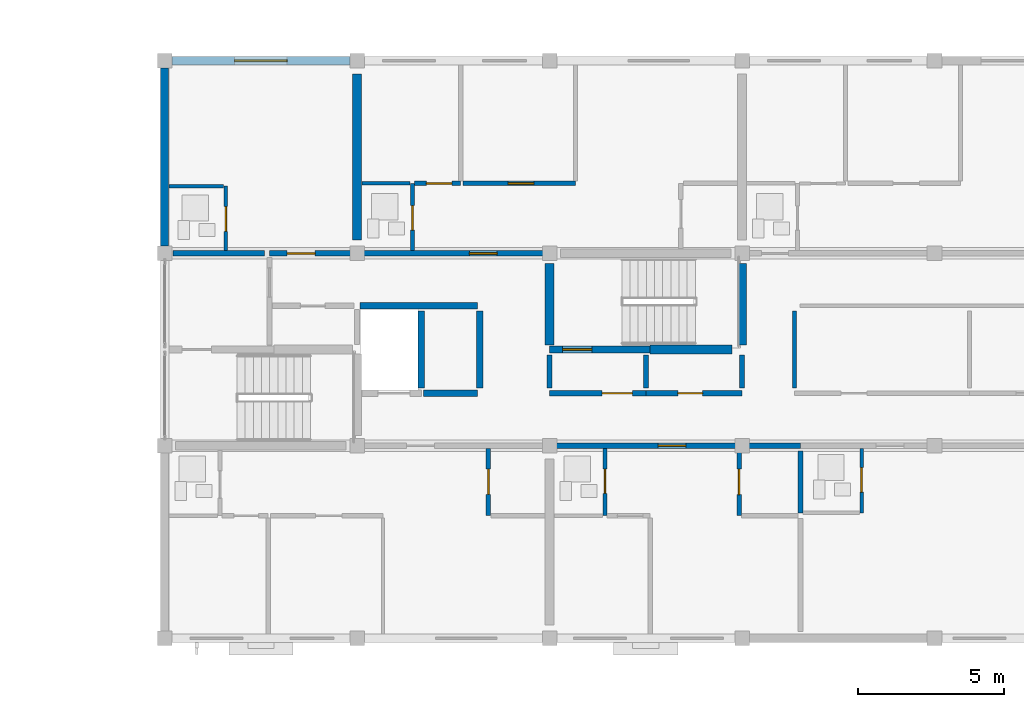
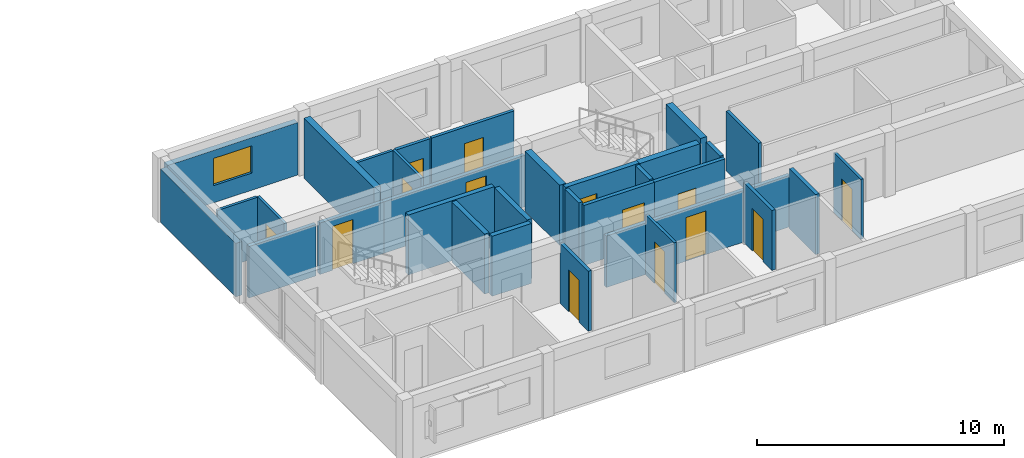
# One storey, part 35 of 49: 32 walls, 14 doors, 1 window, 15 openings.
"""IFC4 building model written with IfcOpenShell, lengths in metres."""

from ifc_helpers import new_model, si_unit, direction, frame, frame_2d, origin, place, context, subcontext, project, spatial, rectangle, extrude, material, layer, layer_set, type_object, element, fill, save


model = new_model("IFC4")

# Units and contexts
model_context = context("Model", 3, precision=1e-05, world=origin(), true_north=direction((0.0, 1.0)))
body_context = subcontext(model_context, "Body", "Model", "MODEL_VIEW")
ifc_project = project(units=[si_unit("LENGTHUNIT", "METRE"), si_unit("AREAUNIT", "SQUARE_METRE"), si_unit("VOLUMEUNIT", "CUBIC_METRE"), si_unit("PLANEANGLEUNIT", "RADIAN"), si_unit("MASSUNIT", "GRAM", prefix="KILO")], contexts=[model_context])

# Site, building, storey
site_placement = place(None, origin())
site = spatial("IfcSite", under=ifc_project, at=site_placement, CompositionType="ELEMENT")
building_placement = place(site_placement, origin())
building = spatial("IfcBuilding", under=site, at=building_placement, Name="Kernevlak Ridge Housing Community", CompositionType="ELEMENT")
storey_placement = place(building_placement, frame((0.0, 0.0, 30.800048828125)))
storey = spatial("IfcBuildingStorey", under=building, at=storey_placement, Name="L09", CompositionType="ELEMENT", Elevation=30.800048828125)

# Wall, opening, window
ifc_material_1 = material(Name="Concrete block masonry M10", Category="masonry")
ifc_layer_1 = layer(ifc_material_1, 0.280029296875, Name="Concrete block masonry M10")
ifc_layer_set_1 = layer_set([ifc_layer_1], Name="Concrete block masonry M10")
wall_type_1 = type_object("IfcWallType", Name="EW-03", PredefinedType="STANDARD", material=ifc_layer_set_1)
wall_1_placement = place(storey_placement, frame((119.64990234375, 102.39990234375, 0.0), z_axis=(0.0, 0.0, 1.0), x_axis=(1.0, 0.0, 0.0)))
wall_1 = element("IfcWall", 1, at=wall_1_placement, inside=storey, type_object=wall_type_1, Name="Exterior wall EW-03 L09 440", PredefinedType="STANDARD", context=body_context, shape_type="SweptSolid", body=[
    extrude(rectangle(XDim=6.10009765625, YDim=0.280029296875, at=frame_2d((3.050048828125, 0.0))), origin(), (0.0, 0.0, 1.0), 2.599853515625),
])
opening_1_placement = place(wall_1_placement, frame((2.14990234375, 0.0, 0.85009765625)))
opening_1 = element("IfcOpeningElement", 2, at=opening_1_placement, cuts=wall_1, Name="Opening WT-03", PredefinedType="OPENING", context=body_context, shape_type="SweptSolid", body=[
    extrude(rectangle(XDim=1.800048828125, YDim=1.35009765625, at=frame_2d((0.89990234375, 0.675048828125))), frame((0.0, 0.14990234375, 0.0), z_axis=(0.0, -1.0, 0.0), x_axis=(1.0, 0.0, 0.0)), (0.0, 0.0, 1.0), 0.300048828125),
])
ifc_material_2 = material(Name="Aluminium EN AW-6060 anodised and laminated glass", Category="aluminium")
window_type = type_object("IfcWindowType", Name="WT-03", PartitioningType="SINGLE_PANEL", PredefinedType="WINDOW", material=ifc_material_2)
window_placement = place(opening_1_placement, origin())
window = element("IfcWindow", 3, at=window_placement, inside=storey, type_object=window_type, Name="Window WT-03 L09 341", OverallHeight=1.35009765625, OverallWidth=1.800048828125, PartitioningType="SINGLE_PANEL", PredefinedType="WINDOW", context=body_context, shape_type="SweptSolid", body=[
    extrude(rectangle(XDim=1.800048828125, YDim=1.35009765625, at=frame_2d((0.89990234375, 0.675048828125))), frame((0.0, 0.030029296875, 0.0), z_axis=(0.0, -1.0, 0.0), x_axis=(1.0, 0.0, 0.0)), (0.0, 0.0, 1.0), 0.06005859375),
])
fill(opening_1, window)

# Walls
wall_2_placement = place(storey_placement, frame((119.39990234375, 96.050048828125, 0.0), z_axis=(0.0, 0.0, 1.0), x_axis=(0.0, 1.0, 0.0)))
element("IfcWall", 4, at=wall_2_placement, inside=storey, type_object=wall_type_1, Name="Exterior wall EW-03 L09 448", PredefinedType="STANDARD", context=body_context, shape_type="SweptSolid", body=[
    extrude(rectangle(XDim=6.099853515625, YDim=0.280029296875, at=frame_2d((3.0498046875, 0.0))), origin(), (0.0, 0.0, 1.0), 2.64990234375),
])
ifc_material_3 = material(Name="Concrete C35/45", Category="concrete")
ifc_layer_2 = layer(ifc_material_3, 0.22509765625, Name="Concrete C35/45")
ifc_layer_set_2 = layer_set([ifc_layer_2], Name="Concrete C35/45")
wall_type_2 = type_object("IfcWallType", Name="PW-01", PredefinedType="STANDARD", material=ifc_layer_set_2)
wall_3_placement = place(storey_placement, frame((128.280029296875, 91.0, 0.0), z_axis=(0.0, 0.0, 1.0), x_axis=(1.0, 0.0, 0.0)))
element("IfcWall", 5, at=wall_3_placement, inside=storey, type_object=wall_type_2, Name="Interior wall PW-01 WAL-INT-L09-1707", PredefinedType="STANDARD", context=body_context, shape_type="SweptSolid", body=[
    extrude(rectangle(XDim=1.840087890625, YDim=0.22509765625, at=frame_2d((0.919921875, 0.0))), origin(), (0.0, 0.0, 1.0), 2.969970703125),
])
wall_4_placement = place(storey_placement, frame((126.097412109375, 94.0, 0.0), z_axis=(0.0, 0.0, 1.0), x_axis=(1.0, 0.0, 0.0)))
element("IfcWall", 6, at=wall_4_placement, inside=storey, type_object=wall_type_2, Name="Interior wall PW-01 WAL-INT-L09-1708", PredefinedType="STANDARD", context=body_context, shape_type="SweptSolid", body=[
    extrude(rectangle(XDim=4.022705078125, YDim=0.22509765625, at=frame_2d((2.01123046875, 0.0))), origin(), (0.0, 0.0, 1.0), 2.969970703125),
])
for number, where, z_axis, x_axis, name in (
    (7, (128.199951171875, 91.179931640625, 0.0), (0.0, 0.0, 1.0), (0.0, 1.0, 0.0), "Interior wall PW-01 WAL-INT-L09-1710"),
    (8, (130.199951171875, 91.179931640625, 0.0), (0.0, 0.0, 1.0), (0.0, 1.0, 0.0), "Interior wall PW-01 WAL-INT-L09-1711"),
):
    element("IfcWall", number, at=place(storey_placement, frame(where, z_axis=z_axis, x_axis=x_axis)), inside=storey, type_object=wall_type_2, Name=name, PredefinedType="STANDARD", context=body_context, shape_type="SweptSolid", body=[
        extrude(rectangle(XDim=2.64013671875, YDim=0.22509765625, at=frame_2d((1.320068359375, 0.0))), origin(), (0.0, 0.0, 1.0), 2.969970703125),
    ])

# Wall, opening, door
wall_5_placement = place(storey_placement, frame((132.60009765625, 92.5, 0.0), z_axis=(0.0, 0.0, 1.0), x_axis=(1.0, 0.0, 0.0)))
wall_5 = element("IfcWall", 9, at=wall_5_placement, inside=storey, type_object=wall_type_2, Name="Interior wall PW-01 WAL-INT-L09-1712", PredefinedType="STANDARD", context=body_context, shape_type="SweptSolid", body=[
    extrude(rectangle(XDim=3.449951171875, YDim=0.22509765625, at=frame_2d((1.72509765625, 0.0))), origin(), (0.0, 0.0, 1.0), 2.969970703125),
])
opening_2_placement = place(wall_5_placement, frame((0.449951171875, 0.0, 0.0)))
opening_2 = element("IfcOpeningElement", 10, at=opening_2_placement, cuts=wall_5, Name="Opening D866", PredefinedType="OPENING", context=body_context, shape_type="SweptSolid", body=[
    extrude(rectangle(XDim=1.0, YDim=2.159912109375, at=frame_2d((0.5, 1.080078125))), frame((0.0, 0.12255859375, 0.0), z_axis=(0.0, -1.0, 0.0), x_axis=(1.0, 0.0, 0.0)), (0.0, 0.0, 1.0), 0.2451171875),
])
ifc_material_4 = material(Name="Fire-rated sheet steel leaf", Category="steel")
door_type_1 = type_object("IfcDoorType", Name="DT-15", OperationType="NOTDEFINED", PredefinedType="DOOR", material=ifc_material_4)
door_1_placement = place(opening_2_placement, origin())
door_1 = element("IfcDoor", 11, at=door_1_placement, inside=storey, type_object=door_type_1, Name="Block B Stair 2 fire door D866", OperationType="SINGLE_SWING_RIGHT", OverallHeight=2.159912109375, OverallWidth=1.0, PredefinedType="DOOR", context=body_context, shape_type="SweptSolid", body=[
    extrude(rectangle(XDim=1.0, YDim=2.159912109375, at=frame_2d((0.5, 1.080078125))), frame((0.0, 0.02490234375, 0.0), z_axis=(0.0, -1.0, 0.0), x_axis=(1.0, 0.0, 0.0)), (0.0, 0.0, 1.0), 0.050048828125),
])
fill(opening_2, door_1)

ifc_layer_3 = layer(ifc_material_1, 0.175048828125, Name="Concrete block masonry M10")
ifc_layer_set_3 = layer_set([ifc_layer_3], Name="Concrete block masonry M10")
wall_type_3 = type_object("IfcWallType", Name="PW-02", PredefinedType="PARTITIONING", material=ifc_layer_set_3)
wall_6_placement = place(storey_placement, frame((132.60009765625, 91.0, 0.0), z_axis=(0.0, 0.0, 1.0), x_axis=(1.0, 0.0, 0.0)))
wall_6 = element("IfcWall", 12, at=wall_6_placement, inside=storey, type_object=wall_type_3, Name="Interior wall PW-02 WAL-INT-L09-1713", PredefinedType="PARTITIONING", context=body_context, shape_type="SweptSolid", body=[
    extrude(rectangle(XDim=3.2998046875, YDim=0.175048828125, at=frame_2d((1.64990234375, 0.0))), origin(), (0.0, 0.0, 1.0), 2.969970703125),
])
opening_3_placement = place(wall_6_placement, frame((1.800048828125, 0.0, 0.0)))
opening_3 = element("IfcOpeningElement", 13, at=opening_3_placement, cuts=wall_6, Name="Opening D867", PredefinedType="OPENING", context=body_context, shape_type="SweptSolid", body=[
    extrude(rectangle(XDim=1.0400390625, YDim=2.1201171875, at=frame_2d((0.52001953125, 1.06005859375))), frame((0.0, 0.097412109375, 0.0), z_axis=(0.0, -1.0, 0.0), x_axis=(1.0, 0.0, 0.0)), (0.0, 0.0, 1.0), 0.195068359375),
])
door_type_2 = type_object("IfcDoorType", Name="DT-16", OperationType="NOTDEFINED", PredefinedType="DOOR", material=ifc_material_4)
door_2_placement = place(opening_3_placement, origin())
door_2 = element("IfcDoor", 14, at=door_2_placement, inside=storey, type_object=door_type_2, Name="Block B Firefighting lobby 2 door D867", OperationType="SINGLE_SWING_LEFT", OverallHeight=2.1201171875, OverallWidth=1.0400390625, PredefinedType="DOOR", context=body_context, shape_type="SweptSolid", body=[
    extrude(rectangle(XDim=1.0400390625, YDim=2.1201171875, at=frame_2d((0.52001953125, 1.06005859375))), frame((0.0, 0.02490234375, 0.0), z_axis=(0.0, -1.0, 0.0), x_axis=(1.0, 0.0, 0.0)), (0.0, 0.0, 1.0), 0.050048828125),
])
fill(opening_3, door_2)

wall_7_placement = place(storey_placement, frame((135.89990234375, 91.0, 0.0), z_axis=(0.0, 0.0, 1.0), x_axis=(1.0, 0.0, 0.0)))
wall_7 = element("IfcWall", 15, at=wall_7_placement, inside=storey, type_object=wall_type_3, Name="Interior wall PW-02 WAL-INT-L09-1714", PredefinedType="PARTITIONING", context=body_context, shape_type="SweptSolid", body=[
    extrude(rectangle(XDim=3.300048828125, YDim=0.175048828125, at=frame_2d((1.64990234375, 0.0))), origin(), (0.0, 0.0, 1.0), 2.969970703125),
])
opening_4_placement = place(wall_7_placement, frame((1.10009765625, 0.0, 0.0)))
opening_4 = element("IfcOpeningElement", 16, at=opening_4_placement, cuts=wall_7, Name="Opening D868", PredefinedType="OPENING", context=body_context, shape_type="SweptSolid", body=[
    extrude(rectangle(XDim=0.85009765625, YDim=2.0, at=frame_2d((0.425048828125, 1.0))), frame((0.0, 0.097412109375, 0.0), z_axis=(0.0, -1.0, 0.0), x_axis=(1.0, 0.0, 0.0)), (0.0, 0.0, 1.0), 0.195068359375),
])
door_type_3 = type_object("IfcDoorType", Name="DT-07", OperationType="NOTDEFINED", PredefinedType="DOOR", material=ifc_material_4)
door_3_placement = place(opening_4_placement, origin())
door_3 = element("IfcDoor", 17, at=door_3_placement, inside=storey, type_object=door_type_3, Name="Block B Cleaner store door D868", OperationType="SINGLE_SWING_RIGHT", OverallHeight=2.0, OverallWidth=0.85009765625, PredefinedType="DOOR", context=body_context, shape_type="SweptSolid", body=[
    extrude(rectangle(XDim=0.85009765625, YDim=2.0, at=frame_2d((0.425048828125, 1.0))), frame((0.0, 0.02490234375, 0.0), z_axis=(0.0, -1.0, 0.0), x_axis=(1.0, 0.0, 0.0)), (0.0, 0.0, 1.0), 0.050048828125),
])
fill(opening_4, door_3)

# Walls
for number, where, z_axis, x_axis, name in (
    (18, (132.60009765625, 91.179931640625, 0.0), (0.0, 0.0, 1.0), (0.0, 1.0, 0.0), "Interior wall PW-02 WAL-INT-L09-1715"),
    (19, (135.89990234375, 91.179931640625, 0.0), (0.0, 0.0, 1.0), (0.0, 1.0, 0.0), "Interior wall PW-02 WAL-INT-L09-1716"),
    (20, (139.199951171875, 91.179931640625, 0.0), (0.0, 0.0, 1.0), (0.0, 1.0, 0.0), "Interior wall PW-02 WAL-INT-L09-1717"),
):
    element("IfcWall", number, at=place(storey_placement, frame(where, z_axis=z_axis, x_axis=x_axis)), inside=storey, type_object=wall_type_3, Name=name, PredefinedType="PARTITIONING", context=body_context, shape_type="SweptSolid", body=[
        extrude(rectangle(XDim=1.14013671875, YDim=0.175048828125, at=frame_2d((0.570068359375, 0.0))), origin(), (0.0, 0.0, 1.0), 2.969970703125),
    ])

# Wall, opening, door
wall_8_placement = place(storey_placement, frame((132.60009765625, 89.199951171875, 0.0), z_axis=(0.0, 0.0, 1.0), x_axis=(1.0, 0.0, 0.0)))
wall_8 = element("IfcWall", 21, at=wall_8_placement, inside=storey, type_object=wall_type_3, Name="Interior wall PW-02 WAL-INT-L09-1732", PredefinedType="PARTITIONING", context=body_context, shape_type="SweptSolid", body=[
    extrude(rectangle(XDim=8.599853515625, YDim=0.175048828125, at=frame_2d((4.2998046875, 0.0))), origin(), (0.0, 0.0, 1.0), 2.550048828125),
])
opening_5_placement = place(wall_8_placement, frame((3.72509765625, 0.0, 0.0)))
opening_5 = element("IfcOpeningElement", 22, at=opening_5_placement, cuts=wall_8, Name="Opening D876", PredefinedType="OPENING", context=body_context, shape_type="SweptSolid", body=[
    extrude(rectangle(XDim=0.949951171875, YDim=2.159912109375, at=frame_2d((0.47509765625, 1.080078125))), frame((0.0, 0.097412109375, 0.0), z_axis=(0.0, -1.0, 0.0), x_axis=(1.0, 0.0, 0.0)), (0.0, 0.0, 1.0), 0.195068359375),
])
ifc_material_5 = material(Name="Hardwood timber solid-core fire leaf", Category="wood")
door_type_4 = type_object("IfcDoorType", Name="DT-02", OperationType="NOTDEFINED", PredefinedType="DOOR", material=ifc_material_5)
door_4_placement = place(opening_5_placement, origin())
door_4 = element("IfcDoor", 23, at=door_4_placement, inside=storey, type_object=door_type_4, Name="Flat B0912 entrance fire door D876", OperationType="SINGLE_SWING_RIGHT", OverallHeight=2.159912109375, OverallWidth=0.949951171875, PredefinedType="DOOR", context=body_context, shape_type="SweptSolid", body=[
    extrude(rectangle(XDim=0.949951171875, YDim=2.159912109375, at=frame_2d((0.47509765625, 1.080078125))), frame((0.0, 0.02490234375, 0.0), z_axis=(0.0, -1.0, 0.0), x_axis=(1.0, 0.0, 0.0)), (0.0, 0.0, 1.0), 0.050048828125),
])
fill(opening_5, door_4)

# Walls
wall_9_placement = place(storey_placement, frame((141.199951171875, 89.02001953125, 0.0), z_axis=(0.0, 0.0, 1.0), x_axis=(0.0, -1.0, 0.0)))
element("IfcWall", 24, at=wall_9_placement, inside=storey, type_object=wall_type_3, Name="Interior wall PW-02 WAL-INT-L09-1739", PredefinedType="PARTITIONING", context=body_context, shape_type="SweptSolid", body=[
    extrude(rectangle(XDim=2.132568359375, YDim=0.175048828125, at=frame_2d((1.06640625, 0.0))), origin(), (0.0, 0.0, 1.0), 2.969970703125),
])
wall_10_placement = place(storey_placement, frame((119.679931640625, 95.800048828125, 0.0), z_axis=(0.0, 0.0, 1.0), x_axis=(1.0, 0.0, 0.0)))
element("IfcWall", 25, at=wall_10_placement, inside=storey, type_object=wall_type_3, Name="Interior wall PW-02 WAL-INT-L09-1743", PredefinedType="PARTITIONING", context=body_context, shape_type="SweptSolid", body=[
    extrude(rectangle(XDim=3.14013671875, YDim=0.175048828125, at=frame_2d((1.570068359375, 0.0))), origin(), (0.0, 0.0, 1.0), 2.550048828125),
])

# Wall, opening, door
wall_11_placement = place(storey_placement, frame((123.0, 95.800048828125, 0.0), z_axis=(0.0, 0.0, 1.0), x_axis=(1.0, 0.0, 0.0)))
wall_11 = element("IfcWall", 26, at=wall_11_placement, inside=storey, type_object=wall_type_3, Name="Interior wall PW-02 WAL-INT-L09-1744", PredefinedType="PARTITIONING", context=body_context, shape_type="SweptSolid", body=[
    extrude(rectangle(XDim=3.0, YDim=0.175048828125, at=frame_2d((1.5, 0.0))), origin(), (0.0, 0.0, 1.0), 2.550048828125),
])
opening_6_placement = place(wall_11_placement, frame((0.60009765625, 0.0, 0.0)))
opening_6 = element("IfcOpeningElement", 27, at=opening_6_placement, cuts=wall_11, Name="Opening D882", PredefinedType="OPENING", context=body_context, shape_type="SweptSolid", body=[
    extrude(rectangle(XDim=0.9599609375, YDim=2.179931640625, at=frame_2d((0.47998046875, 1.08984375))), frame((0.0, 0.097412109375, 0.0), z_axis=(0.0, -1.0, 0.0), x_axis=(1.0, 0.0, 0.0)), (0.0, 0.0, 1.0), 0.195068359375),
])
door_type_5 = type_object("IfcDoorType", Name="DT-29", OperationType="NOTDEFINED", PredefinedType="DOOR", material=ifc_material_5)
door_5_placement = place(opening_6_placement, origin())
door_5 = element("IfcDoor", 28, at=door_5_placement, inside=storey, type_object=door_type_5, Name="Flat B0921 entrance fire door D882", OperationType="SINGLE_SWING_RIGHT", OverallHeight=2.179931640625, OverallWidth=0.9599609375, PredefinedType="DOOR", context=body_context, shape_type="SweptSolid", body=[
    extrude(rectangle(XDim=0.9599609375, YDim=2.179931640625, at=frame_2d((0.47998046875, 1.08984375))), frame((0.0, 0.02490234375, 0.0), z_axis=(0.0, -1.0, 0.0), x_axis=(1.0, 0.0, 0.0)), (0.0, 0.0, 1.0), 0.050048828125),
])
fill(opening_6, door_5)

wall_12_placement = place(storey_placement, frame((126.0, 95.800048828125, 0.0), z_axis=(0.0, 0.0, 1.0), x_axis=(1.0, 0.0, 0.0)))
wall_12 = element("IfcWall", 29, at=wall_12_placement, inside=storey, type_object=wall_type_3, Name="Interior wall PW-02 WAL-INT-L09-1747", PredefinedType="PARTITIONING", context=body_context, shape_type="SweptSolid", body=[
    extrude(rectangle(XDim=6.60009765625, YDim=0.175048828125, at=frame_2d((3.300048828125, 0.0))), origin(), (0.0, 0.0, 1.0), 2.550048828125),
])
opening_7_placement = place(wall_12_placement, frame((3.85009765625, 0.0, 0.0)))
opening_7 = element("IfcOpeningElement", 30, at=opening_7_placement, cuts=wall_12, Name="Opening D884", PredefinedType="OPENING", context=body_context, shape_type="SweptSolid", body=[
    extrude(rectangle(XDim=0.949951171875, YDim=2.159912109375, at=frame_2d((0.47509765625, 1.080078125))), frame((0.0, 0.097412109375, 0.0), z_axis=(0.0, -1.0, 0.0), x_axis=(1.0, 0.0, 0.0)), (0.0, 0.0, 1.0), 0.195068359375),
])
door_6_placement = place(opening_7_placement, origin())
door_6 = element("IfcDoor", 31, at=door_6_placement, inside=storey, type_object=door_type_4, Name="Flat B0922 entrance fire door D884", OperationType="SINGLE_SWING_RIGHT", OverallHeight=2.159912109375, OverallWidth=0.949951171875, PredefinedType="DOOR", context=body_context, shape_type="SweptSolid", body=[
    extrude(rectangle(XDim=0.949951171875, YDim=2.159912109375, at=frame_2d((0.47509765625, 1.080078125))), frame((0.0, 0.02490234375, 0.0), z_axis=(0.0, -1.0, 0.0), x_axis=(1.0, 0.0, 0.0)), (0.0, 0.0, 1.0), 0.050048828125),
])
fill(opening_7, door_6)

# Wall
ifc_layer_4 = layer(ifc_material_1, 0.14501953125, Name="Concrete block masonry M10")
ifc_layer_set_4 = layer_set([ifc_layer_4], Name="Concrete block masonry M10")
wall_type_4 = type_object("IfcWallType", Name="PW-03", PredefinedType="PARTITIONING", material=ifc_layer_set_4)
wall_13_placement = place(storey_placement, frame((141.0, 91.179931640625, 0.0), z_axis=(0.0, 0.0, 1.0), x_axis=(0.0, 1.0, 0.0)))
element("IfcWall", 32, at=wall_13_placement, inside=storey, type_object=wall_type_4, Name="Interior wall PW-03 WAL-INT-L09-1722", PredefinedType="PARTITIONING", context=body_context, shape_type="SweptSolid", body=[
    extrude(rectangle(XDim=2.64013671875, YDim=0.14501953125, at=frame_2d((1.320068359375, 0.0))), origin(), (0.0, 0.0, 1.0), 2.969970703125),
])

# Wall, opening, door
wall_14_placement = place(storey_placement, frame((127.972412109375, 98.199951171875, 0.0), z_axis=(0.0, 0.0, 1.0), x_axis=(1.0, 0.0, 0.0)))
wall_14 = element("IfcWall", 33, at=wall_14_placement, inside=storey, type_object=wall_type_4, Name="Interior wall PW-03 WAL-INT-L09-1752", PredefinedType="PARTITIONING", context=body_context, shape_type="SweptSolid", body=[
    extrude(rectangle(XDim=1.57763671875, YDim=0.14501953125, at=frame_2d((0.788818359375, 0.0))), origin(), (0.0, 0.0, 1.0), 2.969970703125),
])
opening_8_placement = place(wall_14_placement, frame((0.39990234375, 0.0, 0.0)))
opening_8 = element("IfcOpeningElement", 34, at=opening_8_placement, cuts=wall_14, Name="Opening D887", PredefinedType="OPENING", context=body_context, shape_type="SweptSolid", body=[
    extrude(rectangle(XDim=0.8798828125, YDim=2.10009765625, at=frame_2d((0.43994140625, 1.050048828125))), frame((0.0, 0.08251953125, 0.0), z_axis=(0.0, -1.0, 0.0), x_axis=(1.0, 0.0, 0.0)), (0.0, 0.0, 1.0), 0.1650390625),
])
ifc_material_6 = material(Name="Hardwood timber leaf", Category="wood")
door_type_6 = type_object("IfcDoorType", Name="DT-25", OperationType="NOTDEFINED", PredefinedType="DOOR", material=ifc_material_6)
door_7_placement = place(opening_8_placement, origin())
door_7 = element("IfcDoor", 35, at=door_7_placement, inside=storey, type_object=door_type_6, Name="Flat B0922 bedroom door D887", OperationType="SINGLE_SWING_LEFT", OverallHeight=2.10009765625, OverallWidth=0.8798828125, PredefinedType="DOOR", context=body_context, shape_type="SweptSolid", body=[
    extrude(rectangle(XDim=0.8798828125, YDim=2.10009765625, at=frame_2d((0.43994140625, 1.050048828125))), frame((0.0, 0.02490234375, 0.0), z_axis=(0.0, -1.0, 0.0), x_axis=(1.0, 0.0, 0.0)), (0.0, 0.0, 1.0), 0.050048828125),
])
fill(opening_8, door_7)

wall_15_placement = place(storey_placement, frame((129.632568359375, 98.199951171875, 0.0), z_axis=(0.0, 0.0, 1.0), x_axis=(1.0, 0.0, 0.0)))
wall_15 = element("IfcWall", 36, at=wall_15_placement, inside=storey, type_object=wall_type_4, Name="Interior wall PW-03 WAL-INT-L09-1754", PredefinedType="PARTITIONING", context=body_context, shape_type="SweptSolid", body=[
    extrude(rectangle(XDim=3.859375, YDim=0.14501953125, at=frame_2d((1.9296875, 0.0))), origin(), (0.0, 0.0, 1.0), 2.969970703125),
])
opening_9_placement = place(wall_15_placement, frame((1.5458984375, 0.0, 0.0)))
opening_9 = element("IfcOpeningElement", 37, at=opening_9_placement, cuts=wall_15, Name="Opening D888", PredefinedType="OPENING", context=body_context, shape_type="SweptSolid", body=[
    extrude(rectangle(XDim=0.8798828125, YDim=2.159912109375, at=frame_2d((0.43994140625, 1.080078125))), frame((0.0, 0.08251953125, 0.0), z_axis=(0.0, -1.0, 0.0), x_axis=(1.0, 0.0, 0.0)), (0.0, 0.0, 1.0), 0.1650390625),
])
door_type_7 = type_object("IfcDoorType", Name="DT-26", OperationType="NOTDEFINED", PredefinedType="DOOR", material=ifc_material_6)
door_8_placement = place(opening_9_placement, origin())
door_8 = element("IfcDoor", 38, at=door_8_placement, inside=storey, type_object=door_type_7, Name="Flat B0922 bedroom door D888", OperationType="SINGLE_SWING_RIGHT", OverallHeight=2.159912109375, OverallWidth=0.8798828125, PredefinedType="DOOR", context=body_context, shape_type="SweptSolid", body=[
    extrude(rectangle(XDim=0.8798828125, YDim=2.159912109375, at=frame_2d((0.43994140625, 1.080078125))), frame((0.0, 0.02490234375, 0.0), z_axis=(0.0, -1.0, 0.0), x_axis=(1.0, 0.0, 0.0)), (0.0, 0.0, 1.0), 0.050048828125),
])
fill(opening_9, door_8)

ifc_material_7 = material(Name="Gypsum plasterboard EN 520", Category="gypsum")
ifc_layer_5 = layer(ifc_material_7, 0.125, Name="Gypsum plasterboard EN 520")
ifc_layer_set_5 = layer_set([ifc_layer_5], Name="Gypsum plasterboard EN 520")
wall_type_5 = type_object("IfcWallType", Name="PW-04", PredefinedType="PARTITIONING", material=ifc_layer_set_5)
wall_16_placement = place(storey_placement, frame((134.5, 89.1025390625, 0.0), z_axis=(0.0, 0.0, 1.0), x_axis=(0.0, -1.0, 0.0)))
wall_16 = element("IfcWall", 39, at=wall_16_placement, inside=storey, type_object=wall_type_5, Name="Interior wall PW-04 WAL-INT-L09-1733", PredefinedType="PARTITIONING", context=body_context, shape_type="SweptSolid", body=[
    extrude(rectangle(XDim=2.302490234375, YDim=0.125, at=frame_2d((1.1513671875, 0.0))), origin(), (0.0, 0.0, 1.0), 2.969970703125),
])
opening_10_placement = place(wall_16_placement, frame((0.699951171875, 0.0, 0.0)))
opening_10 = element("IfcOpeningElement", 40, at=opening_10_placement, cuts=wall_16, Name="Opening D877", PredefinedType="OPENING", context=body_context, shape_type="SweptSolid", body=[
    extrude(rectangle(XDim=0.840087890625, YDim=2.06005859375, at=frame_2d((0.419921875, 1.030029296875))), frame((0.0, 0.072509765625, 0.0), z_axis=(0.0, -1.0, 0.0), x_axis=(1.0, 0.0, 0.0)), (0.0, 0.0, 1.0), 0.14501953125),
])
ifc_material_8 = material(Name="Hardwood timber moisture-resistant leaf", Category="wood")
door_type_8 = type_object("IfcDoorType", Name="DT-27", OperationType="NOTDEFINED", PredefinedType="DOOR", material=ifc_material_8)
door_9_placement = place(opening_10_placement, origin())
door_9 = element("IfcDoor", 41, at=door_9_placement, inside=storey, type_object=door_type_8, Name="Flat B0912 bathroom door D877", OperationType="SINGLE_SWING_LEFT", OverallHeight=2.06005859375, OverallWidth=0.840087890625, PredefinedType="DOOR", context=body_context, shape_type="SweptSolid", body=[
    extrude(rectangle(XDim=0.840087890625, YDim=2.06005859375, at=frame_2d((0.419921875, 1.030029296875))), frame((0.0, 0.02490234375, 0.0), z_axis=(0.0, -1.0, 0.0), x_axis=(1.0, 0.0, 0.0)), (0.0, 0.0, 1.0), 0.050048828125),
])
fill(opening_10, door_9)

wall_17_placement = place(storey_placement, frame((143.300048828125, 89.1025390625, 0.0), z_axis=(0.0, 0.0, 1.0), x_axis=(0.0, -1.0, 0.0)))
wall_17 = element("IfcWall", 42, at=wall_17_placement, inside=storey, type_object=wall_type_5, Name="Interior wall PW-04 WAL-INT-L09-1741", PredefinedType="PARTITIONING", context=body_context, shape_type="SweptSolid", body=[
    extrude(rectangle(XDim=2.20263671875, YDim=0.125, at=frame_2d((1.101318359375, 0.0))), origin(), (0.0, 0.0, 1.0), 2.969970703125),
])
opening_11_placement = place(wall_17_placement, frame((0.64990234375, 0.0, 0.0)))
opening_11 = element("IfcOpeningElement", 43, at=opening_11_placement, cuts=wall_17, Name="Opening D881", PredefinedType="OPENING", context=body_context, shape_type="SweptSolid", body=[
    extrude(rectangle(XDim=0.840087890625, YDim=2.06005859375, at=frame_2d((0.419921875, 1.030029296875))), frame((0.0, 0.072509765625, 0.0), z_axis=(0.0, -1.0, 0.0), x_axis=(1.0, 0.0, 0.0)), (0.0, 0.0, 1.0), 0.14501953125),
])
door_10_placement = place(opening_11_placement, origin())
door_10 = element("IfcDoor", 44, at=door_10_placement, inside=storey, type_object=door_type_8, Name="Flat B0913 bathroom door D881", OperationType="SINGLE_SWING_LEFT", OverallHeight=2.06005859375, OverallWidth=0.840087890625, PredefinedType="DOOR", context=body_context, shape_type="SweptSolid", body=[
    extrude(rectangle(XDim=0.840087890625, YDim=2.06005859375, at=frame_2d((0.419921875, 1.030029296875))), frame((0.0, 0.02490234375, 0.0), z_axis=(0.0, -1.0, 0.0), x_axis=(1.0, 0.0, 0.0)), (0.0, 0.0, 1.0), 0.050048828125),
])
fill(opening_11, door_10)

wall_18_placement = place(storey_placement, frame((121.5, 95.8974609375, 0.0), z_axis=(0.0, 0.0, 1.0), x_axis=(0.0, 1.0, 0.0)))
wall_18 = element("IfcWall", 45, at=wall_18_placement, inside=storey, type_object=wall_type_5, Name="Interior wall PW-04 WAL-INT-L09-1745", PredefinedType="PARTITIONING", context=body_context, shape_type="SweptSolid", body=[
    extrude(rectangle(XDim=2.20263671875, YDim=0.125, at=frame_2d((1.101318359375, 0.0))), origin(), (0.0, 0.0, 1.0), 2.969970703125),
])
opening_12_placement = place(wall_18_placement, frame((0.64990234375, 0.0, 0.0)))
opening_12 = element("IfcOpeningElement", 46, at=opening_12_placement, cuts=wall_18, Name="Opening D883", PredefinedType="OPENING", context=body_context, shape_type="SweptSolid", body=[
    extrude(rectangle(XDim=0.85009765625, YDim=2.0400390625, at=frame_2d((0.425048828125, 1.02001953125))), frame((0.0, 0.072509765625, 0.0), z_axis=(0.0, -1.0, 0.0), x_axis=(1.0, 0.0, 0.0)), (0.0, 0.0, 1.0), 0.14501953125),
])
door_type_9 = type_object("IfcDoorType", Name="DT-04", OperationType="NOTDEFINED", PredefinedType="DOOR", material=ifc_material_8)
door_11_placement = place(opening_12_placement, origin())
door_11 = element("IfcDoor", 47, at=door_11_placement, inside=storey, type_object=door_type_9, Name="Flat B0921 bathroom door D883", OperationType="SINGLE_SWING_LEFT", OverallHeight=2.0400390625, OverallWidth=0.85009765625, PredefinedType="DOOR", context=body_context, shape_type="SweptSolid", body=[
    extrude(rectangle(XDim=0.85009765625, YDim=2.0400390625, at=frame_2d((0.425048828125, 1.02001953125))), frame((0.0, 0.02490234375, 0.0), z_axis=(0.0, -1.0, 0.0), x_axis=(1.0, 0.0, 0.0)), (0.0, 0.0, 1.0), 0.050048828125),
])
fill(opening_12, door_11)

# Wall
wall_19_placement = place(storey_placement, frame((119.550048828125, 98.10009765625, 0.0), z_axis=(0.0, 0.0, 1.0), x_axis=(1.0, 0.0, 0.0)))
element("IfcWall", 48, at=wall_19_placement, inside=storey, type_object=wall_type_5, Name="Interior wall PW-04 WAL-INT-L09-1746", PredefinedType="PARTITIONING", context=body_context, shape_type="SweptSolid", body=[
    extrude(rectangle(XDim=1.869873046875, YDim=0.125, at=frame_2d((0.93505859375, 0.0))), origin(), (0.0, 0.0, 1.0), 2.969970703125),
])

# Wall, opening, door
wall_20_placement = place(storey_placement, frame((127.89990234375, 95.8974609375, 0.0), z_axis=(0.0, 0.0, 1.0), x_axis=(0.0, 1.0, 0.0)))
wall_20 = element("IfcWall", 49, at=wall_20_placement, inside=storey, type_object=wall_type_5, Name="Interior wall PW-04 WAL-INT-L09-1748", PredefinedType="PARTITIONING", context=body_context, shape_type="SweptSolid", body=[
    extrude(rectangle(XDim=2.302490234375, YDim=0.125, at=frame_2d((1.1513671875, 0.0))), origin(), (0.0, 0.0, 1.0), 2.969970703125),
])
opening_13_placement = place(wall_20_placement, frame((0.699951171875, 0.0, 0.0)))
opening_13 = element("IfcOpeningElement", 50, at=opening_13_placement, cuts=wall_20, Name="Opening D885", PredefinedType="OPENING", context=body_context, shape_type="SweptSolid", body=[
    extrude(rectangle(XDim=0.840087890625, YDim=2.06005859375, at=frame_2d((0.419921875, 1.030029296875))), frame((0.0, 0.072509765625, 0.0), z_axis=(0.0, -1.0, 0.0), x_axis=(1.0, 0.0, 0.0)), (0.0, 0.0, 1.0), 0.14501953125),
])
door_12_placement = place(opening_13_placement, origin())
door_12 = element("IfcDoor", 51, at=door_12_placement, inside=storey, type_object=door_type_8, Name="Flat B0922 bathroom door D885", OperationType="SINGLE_SWING_LEFT", OverallHeight=2.06005859375, OverallWidth=0.840087890625, PredefinedType="DOOR", context=body_context, shape_type="SweptSolid", body=[
    extrude(rectangle(XDim=0.840087890625, YDim=2.06005859375, at=frame_2d((0.419921875, 1.030029296875))), frame((0.0, 0.02490234375, 0.0), z_axis=(0.0, -1.0, 0.0), x_axis=(1.0, 0.0, 0.0)), (0.0, 0.0, 1.0), 0.050048828125),
])
fill(opening_13, door_12)

# Wall
wall_21_placement = place(storey_placement, frame((126.159912109375, 98.199951171875, 0.0), z_axis=(0.0, 0.0, 1.0), x_axis=(1.0, 0.0, 0.0)))
element("IfcWall", 52, at=wall_21_placement, inside=storey, type_object=wall_type_5, Name="Interior wall PW-04 WAL-INT-L09-1749", PredefinedType="PARTITIONING", context=body_context, shape_type="SweptSolid", body=[
    extrude(rectangle(XDim=1.66015625, YDim=0.125, at=frame_2d((0.830078125, 0.0))), origin(), (0.0, 0.0, 1.0), 2.969970703125),
])

# Wall, opening, door
ifc_layer_6 = layer(ifc_material_7, 0.155029296875, Name="Gypsum plasterboard EN 520")
ifc_layer_set_6 = layer_set([ifc_layer_6], Name="Gypsum plasterboard EN 520")
wall_type_6 = type_object("IfcWallType", Name="PW-05", PredefinedType="PARTITIONING", material=ifc_layer_set_6)
wall_22_placement = place(storey_placement, frame((130.5, 89.1025390625, 0.0), z_axis=(0.0, 0.0, 1.0), x_axis=(0.0, -1.0, 0.0)))
wall_22 = element("IfcWall", 53, at=wall_22_placement, inside=storey, type_object=wall_type_6, Name="Interior wall PW-05 WAL-INT-L09-1726", PredefinedType="PARTITIONING", context=body_context, shape_type="SweptSolid", body=[
    extrude(rectangle(XDim=2.302490234375, YDim=0.155029296875, at=frame_2d((1.1513671875, 0.0))), origin(), (0.0, 0.0, 1.0), 2.969970703125),
])
opening_14_placement = place(wall_22_placement, frame((0.699951171875, 0.0, 0.0)))
opening_14 = element("IfcOpeningElement", 54, at=opening_14_placement, cuts=wall_22, Name="Opening D873", PredefinedType="OPENING", context=body_context, shape_type="SweptSolid", body=[
    extrude(rectangle(XDim=0.8701171875, YDim=2.080078125, at=frame_2d((0.43505859375, 1.0400390625))), frame((0.0, 0.08740234375, 0.0), z_axis=(0.0, -1.0, 0.0), x_axis=(1.0, 0.0, 0.0)), (0.0, 0.0, 1.0), 0.175048828125),
])
door_type_10 = type_object("IfcDoorType", Name="DT-32", OperationType="NOTDEFINED", PredefinedType="DOOR", material=ifc_material_6)
door_13_placement = place(opening_14_placement, origin())
door_13 = element("IfcDoor", 55, at=door_13_placement, inside=storey, type_object=door_type_10, Name="Flat B0911 kitchen door D873", OperationType="SINGLE_SWING_LEFT", OverallHeight=2.080078125, OverallWidth=0.8701171875, PredefinedType="DOOR", context=body_context, shape_type="SweptSolid", body=[
    extrude(rectangle(XDim=0.8701171875, YDim=2.080078125, at=frame_2d((0.43505859375, 1.0400390625))), frame((0.0, 0.02490234375, 0.0), z_axis=(0.0, -1.0, 0.0), x_axis=(1.0, 0.0, 0.0)), (0.0, 0.0, 1.0), 0.050048828125),
])
fill(opening_14, door_13)

wall_23_placement = place(storey_placement, frame((139.10009765625, 89.1025390625, 0.0), z_axis=(0.0, 0.0, 1.0), x_axis=(0.0, -1.0, 0.0)))
wall_23 = element("IfcWall", 56, at=wall_23_placement, inside=storey, type_object=wall_type_6, Name="Interior wall PW-05 WAL-INT-L09-1735", PredefinedType="PARTITIONING", context=body_context, shape_type="SweptSolid", body=[
    extrude(rectangle(XDim=2.302490234375, YDim=0.155029296875, at=frame_2d((1.1513671875, 0.0))), origin(), (0.0, 0.0, 1.0), 2.969970703125),
])
opening_15_placement = place(wall_23_placement, frame((0.699951171875, 0.0, 0.0)))
opening_15 = element("IfcOpeningElement", 57, at=opening_15_placement, cuts=wall_23, Name="Opening D878", PredefinedType="OPENING", context=body_context, shape_type="SweptSolid", body=[
    extrude(rectangle(XDim=0.8798828125, YDim=2.10009765625, at=frame_2d((0.43994140625, 1.050048828125))), frame((0.0, 0.08740234375, 0.0), z_axis=(0.0, -1.0, 0.0), x_axis=(1.0, 0.0, 0.0)), (0.0, 0.0, 1.0), 0.175048828125),
])
door_14_placement = place(opening_15_placement, origin())
door_14 = element("IfcDoor", 58, at=door_14_placement, inside=storey, type_object=door_type_6, Name="Flat B0912 kitchen door D878", OperationType="SINGLE_SWING_RIGHT", OverallHeight=2.10009765625, OverallWidth=0.8798828125, PredefinedType="DOOR", context=body_context, shape_type="SweptSolid", body=[
    extrude(rectangle(XDim=0.8798828125, YDim=2.10009765625, at=frame_2d((0.43994140625, 1.050048828125))), frame((0.0, 0.02490234375, 0.0), z_axis=(0.0, -1.0, 0.0), x_axis=(1.0, 0.0, 0.0)), (0.0, 0.0, 1.0), 0.050048828125),
])
fill(opening_15, door_14)

# Walls
ifc_material_9 = material(Name="Concrete C40/50", Category="concrete")
ifc_layer_7 = layer(ifc_material_9, 0.300048828125, Name="Concrete C40/50")
ifc_layer_set_7 = layer_set([ifc_layer_7], Name="Concrete C40/50")
wall_type_7 = type_object("IfcWallType", Name="SW-02", PredefinedType="SHEAR", material=ifc_layer_set_7)
for number, where, z_axis, x_axis, name in (
    (59, (136.050048828125, 92.5, 0.0), (0.0, 0.0, 1.0), (1.0, 0.0, 0.0), "Shear wall SW-02 Block B L09 305"),
    (60, (132.60009765625, 92.64990234375, 0.0), (0.0, 0.0, 1.0), (0.0, 1.0, 0.0), "Shear wall SW-02 Block B L09 306"),
    (61, (139.199951171875, 92.64990234375, 0.0), (0.0, 0.0, 1.0), (0.0, 1.0, 0.0), "Shear wall SW-02 Block B L09 307"),
):
    element("IfcWall", number, at=place(storey_placement, frame(where, z_axis=z_axis, x_axis=x_axis)), inside=storey, type_object=wall_type_7, Name=name, PredefinedType="SHEAR", context=body_context, shape_type="SweptSolid", body=[
        extrude(rectangle(XDim=2.800048828125, YDim=0.300048828125, at=frame_2d((1.39990234375, 0.0))), origin(), (0.0, 0.0, 1.0), 2.969970703125),
    ])
wall_24_placement = place(storey_placement, frame((126.0, 96.25, 0.0), z_axis=(0.0, 0.0, 1.0), x_axis=(0.0, 1.0, 0.0)))
element("IfcWall", 62, at=wall_24_placement, inside=storey, type_object=wall_type_7, Name="Shear wall SW-02 Block B L09 309", PredefinedType="SHEAR", context=body_context, shape_type="SweptSolid", body=[
    extrude(rectangle(XDim=5.699951171875, YDim=0.300048828125, at=frame_2d((2.85009765625, 0.0))), origin(), (0.0, 0.0, 1.0), 2.969970703125),
])

save(model, "model.ifc")
